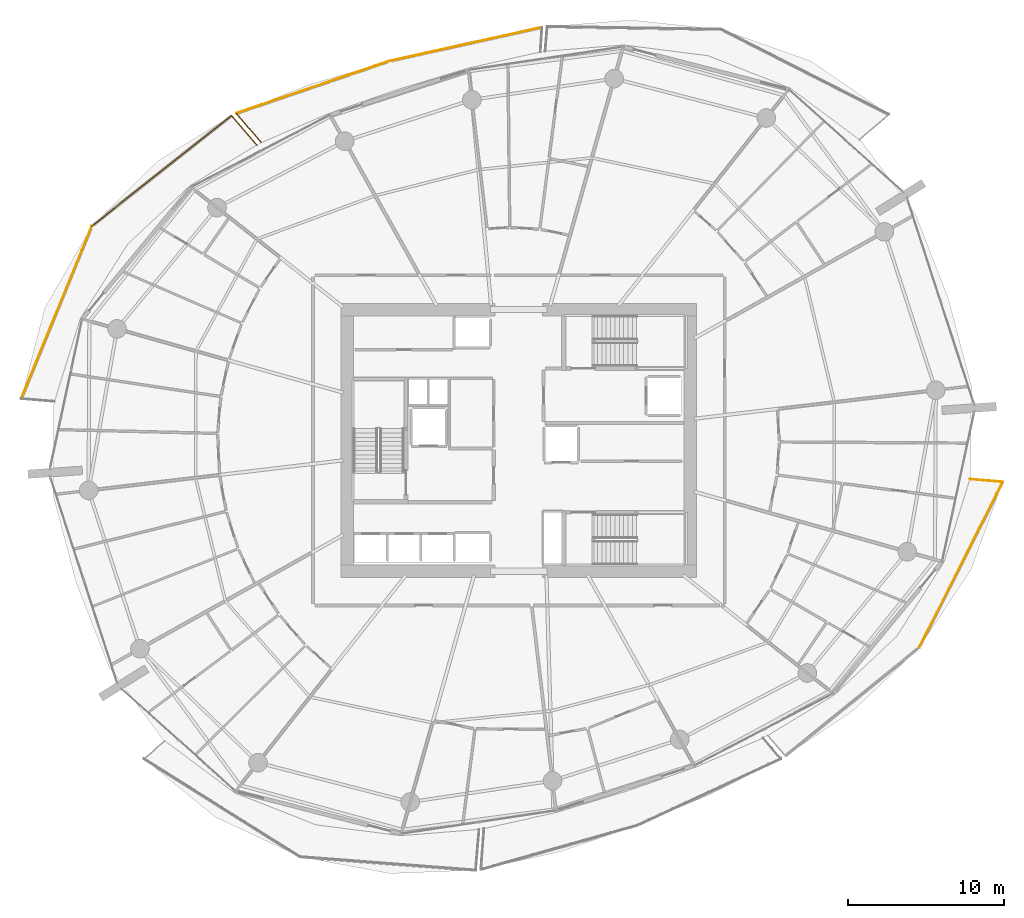
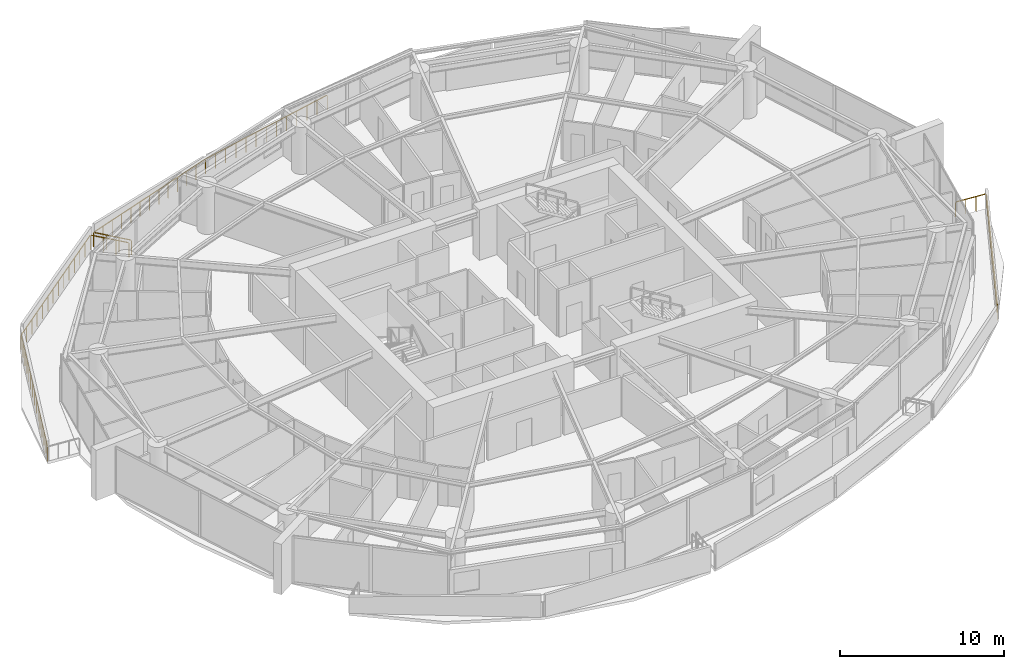
# One storey, part 21 of 23: 8 railings.
"""IFC4 building model written with IfcOpenShell, lengths in metres."""

from ifc_helpers import new_model, si_unit, direction, frame, origin, origin_2d, place, context, subcontext, project, spatial, rectangle, extrude, material, type_object, element, save


model = new_model("IFC4")

# Units and contexts
model_context = context("Model", 3, precision=1e-05, world=origin(), true_north=direction((0.0, 1.0)))
body_context = subcontext(model_context, "Body", "Model", "MODEL_VIEW")
ifc_project = project(units=[si_unit("LENGTHUNIT", "METRE"), si_unit("AREAUNIT", "SQUARE_METRE"), si_unit("VOLUMEUNIT", "CUBIC_METRE"), si_unit("PLANEANGLEUNIT", "RADIAN"), si_unit("MASSUNIT", "GRAM", prefix="KILO")], contexts=[model_context])

# Site, building, storey
site_placement = place(None, origin())
site = spatial("IfcSite", under=ifc_project, at=site_placement, CompositionType="ELEMENT")
building_placement = place(site_placement, origin())
building = spatial("IfcBuilding", under=site, at=building_placement, Name="Kazma Halo Residences", CompositionType="ELEMENT")
storey_placement = place(building_placement, frame((0.0, 0.0, 78.89990234375)))
storey = spatial("IfcBuildingStorey", under=building, at=storey_placement, Name="L19", CompositionType="ELEMENT", Elevation=78.89990234375)

# Railings
ifc_material = material(Name="Aluminium AW-6063 T6 Brushed Cap Rail", Category="aluminium")
railing_type = type_object("IfcRailingType", Name="RLG-BAL-CAP-1120", PredefinedType="BALUSTRADE", material=ifc_material)
railing_1_placement = place(storey_placement, frame((49.9248046875, 68.52685546875, 0.0)))
element("IfcRailing", 1, at=railing_1_placement, inside=storey, type_object=railing_type, Name="L19 NNW wave balcony guard 2", PredefinedType="BALUSTRADE", context=body_context, shape_type="SweptSolid", body=[
    extrude(rectangle(XDim=0.050048828125, YDim=0.050048828125, at=origin_2d()), frame((-0.04150390625, -0.00927734375, 1.09521484375), z_axis=(-0.976379400061, -0.216063109154, 0.0), x_axis=(0.216063109154, -0.976379400061, 0.0)), (0.0, 0.0, 1.0), 9.989501953125),
    extrude(rectangle(XDim=0.0400390625, YDim=0.0400390625, at=origin_2d()), origin(), (0.0, 0.0, 1.0), 1.05810546875),
    extrude(rectangle(XDim=0.0400390625, YDim=0.0400390625, at=origin_2d()), frame((-0.81982421875, -0.181396484375, 0.0)), (0.0, 0.0, 1.0), 1.05810546875),
    extrude(rectangle(XDim=0.0400390625, YDim=0.0400390625, at=origin_2d()), frame((-1.639404296875, -0.36279296875, 0.0)), (0.0, 0.0, 1.0), 1.05810546875),
    extrude(rectangle(XDim=0.0400390625, YDim=0.0400390625, at=origin_2d()), frame((-2.459228515625, -0.544189453125, 0.0)), (0.0, 0.0, 1.0), 1.05810546875),
    extrude(rectangle(XDim=0.0400390625, YDim=0.0400390625, at=origin_2d()), frame((-3.27880859375, -0.7255859375, 0.0)), (0.0, 0.0, 1.0), 1.05810546875),
    extrude(rectangle(XDim=0.0400390625, YDim=0.0400390625, at=origin_2d()), frame((-4.0986328125, -0.906982421875, 0.0)), (0.0, 0.0, 1.0), 1.05810546875),
    extrude(rectangle(XDim=0.0400390625, YDim=0.0400390625, at=origin_2d()), frame((-4.91845703125, -1.08837890625, 0.0)), (0.0, 0.0, 1.0), 1.05810546875),
    extrude(rectangle(XDim=0.0400390625, YDim=0.0400390625, at=origin_2d()), frame((-5.738037109375, -1.269775390625, 0.0)), (0.0, 0.0, 1.0), 1.05810546875),
    extrude(rectangle(XDim=0.0400390625, YDim=0.0400390625, at=origin_2d()), frame((-6.557861328125, -1.451171875, 0.0)), (0.0, 0.0, 1.0), 1.05810546875),
    extrude(rectangle(XDim=0.0400390625, YDim=0.0400390625, at=origin_2d()), frame((-7.37744140625, -1.632568359375, 0.0)), (0.0, 0.0, 1.0), 1.05810546875),
    extrude(rectangle(XDim=0.0400390625, YDim=0.0400390625, at=origin_2d()), frame((-8.197265625, -1.81396484375, 0.0)), (0.0, 0.0, 1.0), 1.05810546875),
    extrude(rectangle(XDim=0.0400390625, YDim=0.0400390625, at=origin_2d()), frame((-9.016845703125, -1.995361328125, 0.0)), (0.0, 0.0, 1.0), 1.05810546875),
    extrude(rectangle(XDim=0.0400390625, YDim=0.0400390625, at=origin_2d()), frame((-9.836669921875, -2.1767578125, 0.0)), (0.0, 0.0, 1.0), 1.05810546875),
])
railing_2_placement = place(storey_placement, frame((40.088134765625, 66.35009765625, 0.0)))
element("IfcRailing", 2, at=railing_2_placement, inside=storey, type_object=railing_type, Name="L19 NNW wave balcony guard 3", PredefinedType="BALUSTRADE", context=body_context, shape_type="SweptSolid", body=[
    extrude(rectangle(XDim=0.050048828125, YDim=0.050048828125, at=origin_2d()), frame((-0.040283203125, -0.013671875, 1.09521484375), z_axis=(-0.946372877158, -0.32307642653, 0.0), x_axis=(0.32307642653, -0.946372877158, 0.0)), (0.0, 0.0, 1.0), 10.27587890625),
    extrude(rectangle(XDim=0.0400390625, YDim=0.0400390625, at=origin_2d()), origin(), (0.0, 0.0, 1.0), 1.05810546875),
    extrude(rectangle(XDim=0.0400390625, YDim=0.0400390625, at=origin_2d()), frame((-0.817138671875, -0.279052734375, 0.0)), (0.0, 0.0, 1.0), 1.05810546875),
    extrude(rectangle(XDim=0.0400390625, YDim=0.0400390625, at=origin_2d()), frame((-1.63427734375, -0.557861328125, 0.0)), (0.0, 0.0, 1.0), 1.05810546875),
    extrude(rectangle(XDim=0.0400390625, YDim=0.0400390625, at=origin_2d()), frame((-2.451416015625, -0.8369140625, 0.0)), (0.0, 0.0, 1.0), 1.05810546875),
    extrude(rectangle(XDim=0.0400390625, YDim=0.0400390625, at=origin_2d()), frame((-3.2685546875, -1.11572265625, 0.0)), (0.0, 0.0, 1.0), 1.05810546875),
    extrude(rectangle(XDim=0.0400390625, YDim=0.0400390625, at=origin_2d()), frame((-4.085693359375, -1.394775390625, 0.0)), (0.0, 0.0, 1.0), 1.05810546875),
    extrude(rectangle(XDim=0.0400390625, YDim=0.0400390625, at=origin_2d()), frame((-4.90283203125, -1.673828125, 0.0)), (0.0, 0.0, 1.0), 1.05810546875),
    extrude(rectangle(XDim=0.0400390625, YDim=0.0400390625, at=origin_2d()), frame((-5.7197265625, -1.95263671875, 0.0)), (0.0, 0.0, 1.0), 1.05810546875),
    extrude(rectangle(XDim=0.0400390625, YDim=0.0400390625, at=origin_2d()), frame((-6.536865234375, -2.231689453125, 0.0)), (0.0, 0.0, 1.0), 1.05810546875),
    extrude(rectangle(XDim=0.0400390625, YDim=0.0400390625, at=origin_2d()), frame((-7.35400390625, -2.510498046875, 0.0)), (0.0, 0.0, 1.0), 1.05810546875),
    extrude(rectangle(XDim=0.0400390625, YDim=0.0400390625, at=origin_2d()), frame((-8.171142578125, -2.78955078125, 0.0)), (0.0, 0.0, 1.0), 1.05810546875),
    extrude(rectangle(XDim=0.0400390625, YDim=0.0400390625, at=origin_2d()), frame((-8.98828125, -3.068359375, 0.0)), (0.0, 0.0, 1.0), 1.05810546875),
    extrude(rectangle(XDim=0.0400390625, YDim=0.0400390625, at=origin_2d()), frame((-9.805419921875, -3.347412109375, 0.0)), (0.0, 0.0, 1.0), 1.05810546875),
])
railing_3_placement = place(storey_placement, frame((30.28271484375, 63.002685546875, 0.0)))
element("IfcRailing", 3, at=railing_3_placement, inside=storey, type_object=railing_type, Name="L19 NNW wave balcony guard 4", PredefinedType="BALUSTRADE", context=body_context, shape_type="SweptSolid", body=[
    extrude(rectangle(XDim=0.050048828125, YDim=0.050048828125, at=origin_2d()), frame((0.02734375, -0.032470703125, 1.09521484375), z_axis=(0.644778769126, -0.764369242503, 0.0), x_axis=(0.764369242503, 0.644778769126, 0.0)), (0.0, 0.0, 1.0), 2.381103515625),
    extrude(rectangle(XDim=0.0400390625, YDim=0.0400390625, at=origin_2d()), origin(), (0.0, 0.0, 1.0), 1.05810546875),
    extrude(rectangle(XDim=0.0400390625, YDim=0.0400390625, at=origin_2d()), frame((0.530029296875, -0.62841796875, 0.0)), (0.0, 0.0, 1.0), 1.05810546875),
    extrude(rectangle(XDim=0.0400390625, YDim=0.0400390625, at=origin_2d()), frame((1.06005859375, -1.256591796875, 0.0)), (0.0, 0.0, 1.0), 1.05810546875),
    extrude(rectangle(XDim=0.0400390625, YDim=0.0400390625, at=origin_2d()), frame((1.590087890625, -1.885009765625, 0.0)), (0.0, 0.0, 1.0), 1.05810546875),
])
railing_4_placement = place(storey_placement, frame((31.59423828125, 60.972900390625, 0.0)))
element("IfcRailing", 4, at=railing_4_placement, inside=storey, type_object=railing_type, Name="L19 NW wave balcony guard 1", PredefinedType="BALUSTRADE", context=body_context, shape_type="SweptSolid", body=[
    extrude(rectangle(XDim=0.050048828125, YDim=0.050048828125, at=origin_2d()), frame((-0.02783203125, 0.0322265625, 1.09521484375), z_axis=(-0.654151932932, 0.756363172452, 0.0), x_axis=(-0.756363172452, -0.654151932932, 0.0)), (0.0, 0.0, 1.0), 2.399169921875),
    extrude(rectangle(XDim=0.0400390625, YDim=0.0400390625, at=origin_2d()), origin(), (0.0, 0.0, 1.0), 1.05810546875),
    extrude(rectangle(XDim=0.0400390625, YDim=0.0400390625, at=origin_2d()), frame((-0.541748046875, 0.626220703125, 0.0)), (0.0, 0.0, 1.0), 1.05810546875),
    extrude(rectangle(XDim=0.0400390625, YDim=0.0400390625, at=origin_2d()), frame((-1.083251953125, 1.252685546875, 0.0)), (0.0, 0.0, 1.0), 1.05810546875),
    extrude(rectangle(XDim=0.0400390625, YDim=0.0400390625, at=origin_2d()), frame((-1.625, 1.87890625, 0.0)), (0.0, 0.0, 1.0), 1.05810546875),
])
railing_5_placement = place(storey_placement, frame((29.96923828125, 62.851806640625, 0.0)))
element("IfcRailing", 5, at=railing_5_placement, inside=storey, type_object=railing_type, Name="L19 NW wave balcony guard 2", PredefinedType="BALUSTRADE", context=body_context, shape_type="SweptSolid", body=[
    extrude(rectangle(XDim=0.050048828125, YDim=0.050048828125, at=origin_2d()), frame((-0.033447265625, -0.0263671875, 1.09521484375), z_axis=(-0.784316306459, -0.620361129845, 0.0), x_axis=(0.620361129845, -0.784316306459, 0.0)), (0.0, 0.0, 1.0), 11.35107421875),
    extrude(rectangle(XDim=0.0400390625, YDim=0.0400390625, at=origin_2d()), origin(), (0.0, 0.0, 1.0), 1.05810546875),
    extrude(rectangle(XDim=0.0400390625, YDim=0.0400390625, at=origin_2d()), frame((-0.68994140625, -0.545654296875, 0.0)), (0.0, 0.0, 1.0), 1.05810546875),
    extrude(rectangle(XDim=0.0400390625, YDim=0.0400390625, at=origin_2d()), frame((-1.3798828125, -1.091552734375, 0.0)), (0.0, 0.0, 1.0), 1.05810546875),
    extrude(rectangle(XDim=0.0400390625, YDim=0.0400390625, at=origin_2d()), frame((-2.06982421875, -1.63720703125, 0.0)), (0.0, 0.0, 1.0), 1.05810546875),
    extrude(rectangle(XDim=0.0400390625, YDim=0.0400390625, at=origin_2d()), frame((-2.759765625, -2.182861328125, 0.0)), (0.0, 0.0, 1.0), 1.05810546875),
    extrude(rectangle(XDim=0.0400390625, YDim=0.0400390625, at=origin_2d()), frame((-3.44970703125, -2.728759765625, 0.0)), (0.0, 0.0, 1.0), 1.05810546875),
    extrude(rectangle(XDim=0.0400390625, YDim=0.0400390625, at=origin_2d()), frame((-4.1396484375, -3.2744140625, 0.0)), (0.0, 0.0, 1.0), 1.05810546875),
    extrude(rectangle(XDim=0.0400390625, YDim=0.0400390625, at=origin_2d()), frame((-4.829833984375, -3.820068359375, 0.0)), (0.0, 0.0, 1.0), 1.05810546875),
    extrude(rectangle(XDim=0.0400390625, YDim=0.0400390625, at=origin_2d()), frame((-5.519775390625, -4.36572265625, 0.0)), (0.0, 0.0, 1.0), 1.05810546875),
    extrude(rectangle(XDim=0.0400390625, YDim=0.0400390625, at=origin_2d()), frame((-6.209716796875, -4.91162109375, 0.0)), (0.0, 0.0, 1.0), 1.05810546875),
    extrude(rectangle(XDim=0.0400390625, YDim=0.0400390625, at=origin_2d()), frame((-6.899658203125, -5.457275390625, 0.0)), (0.0, 0.0, 1.0), 1.05810546875),
    extrude(rectangle(XDim=0.0400390625, YDim=0.0400390625, at=origin_2d()), frame((-7.589599609375, -6.0029296875, 0.0)), (0.0, 0.0, 1.0), 1.05810546875),
    extrude(rectangle(XDim=0.0400390625, YDim=0.0400390625, at=origin_2d()), frame((-8.279541015625, -6.548828125, 0.0)), (0.0, 0.0, 1.0), 1.05810546875),
    extrude(rectangle(XDim=0.0400390625, YDim=0.0400390625, at=origin_2d()), frame((-8.969482421875, -7.094482421875, 0.0)), (0.0, 0.0, 1.0), 1.05810546875),
])
railing_6_placement = place(storey_placement, frame((20.999755859375, 55.75732421875, 0.0)))
element("IfcRailing", 6, at=railing_6_placement, inside=storey, type_object=railing_type, Name="L19 NW wave balcony guard 3", PredefinedType="BALUSTRADE", context=body_context, shape_type="SweptSolid", body=[
    extrude(rectangle(XDim=0.050048828125, YDim=0.050048828125, at=origin_2d()), frame((-0.01611328125, -0.039306640625, 1.09521484375), z_axis=(-0.37827548342, -0.925693069351, 0.0), x_axis=(0.925693069351, -0.37827548342, 0.0)), (0.0, 0.0, 1.0), 11.886474609375),
    extrude(rectangle(XDim=0.0400390625, YDim=0.0400390625, at=origin_2d()), origin(), (0.0, 0.0, 1.0), 1.05810546875),
    extrude(rectangle(XDim=0.0400390625, YDim=0.0400390625, at=origin_2d()), frame((-0.323486328125, -0.79150390625, 0.0)), (0.0, 0.0, 1.0), 1.05810546875),
    extrude(rectangle(XDim=0.0400390625, YDim=0.0400390625, at=origin_2d()), frame((-0.64697265625, -1.583251953125, 0.0)), (0.0, 0.0, 1.0), 1.05810546875),
    extrude(rectangle(XDim=0.0400390625, YDim=0.0400390625, at=origin_2d()), frame((-0.970458984375, -2.374755859375, 0.0)), (0.0, 0.0, 1.0), 1.05810546875),
    extrude(rectangle(XDim=0.0400390625, YDim=0.0400390625, at=origin_2d()), frame((-1.2939453125, -3.166259765625, 0.0)), (0.0, 0.0, 1.0), 1.05810546875),
    extrude(rectangle(XDim=0.0400390625, YDim=0.0400390625, at=origin_2d()), frame((-1.617431640625, -3.957763671875, 0.0)), (0.0, 0.0, 1.0), 1.05810546875),
    extrude(rectangle(XDim=0.0400390625, YDim=0.0400390625, at=origin_2d()), frame((-1.94091796875, -4.74951171875, 0.0)), (0.0, 0.0, 1.0), 1.05810546875),
    extrude(rectangle(XDim=0.0400390625, YDim=0.0400390625, at=origin_2d()), frame((-2.26416015625, -5.541015625, 0.0)), (0.0, 0.0, 1.0), 1.05810546875),
    extrude(rectangle(XDim=0.0400390625, YDim=0.0400390625, at=origin_2d()), frame((-2.587646484375, -6.33251953125, 0.0)), (0.0, 0.0, 1.0), 1.05810546875),
    extrude(rectangle(XDim=0.0400390625, YDim=0.0400390625, at=origin_2d()), frame((-2.9111328125, -7.124267578125, 0.0)), (0.0, 0.0, 1.0), 1.05810546875),
    extrude(rectangle(XDim=0.0400390625, YDim=0.0400390625, at=origin_2d()), frame((-3.234619140625, -7.915771484375, 0.0)), (0.0, 0.0, 1.0), 1.05810546875),
    extrude(rectangle(XDim=0.0400390625, YDim=0.0400390625, at=origin_2d()), frame((-3.55810546875, -8.707275390625, 0.0)), (0.0, 0.0, 1.0), 1.05810546875),
    extrude(rectangle(XDim=0.0400390625, YDim=0.0400390625, at=origin_2d()), frame((-3.881591796875, -9.498779296875, 0.0)), (0.0, 0.0, 1.0), 1.05810546875),
    extrude(rectangle(XDim=0.0400390625, YDim=0.0400390625, at=origin_2d()), frame((-4.205078125, -10.29052734375, 0.0)), (0.0, 0.0, 1.0), 1.05810546875),
    extrude(rectangle(XDim=0.0400390625, YDim=0.0400390625, at=origin_2d()), frame((-4.528564453125, -11.08203125, 0.0)), (0.0, 0.0, 1.0), 1.05810546875),
])
railing_7_placement = place(storey_placement, frame((74.144287109375, 28.678955078125, 0.0)))
element("IfcRailing", 7, at=railing_7_placement, inside=storey, type_object=railing_type, Name="L19 SE wave balcony guard 3", PredefinedType="BALUSTRADE", context=body_context, shape_type="SweptSolid", body=[
    extrude(rectangle(XDim=0.050048828125, YDim=0.050048828125, at=origin_2d()), frame((0.01904296875, 0.0380859375, 1.09521484375), z_axis=(0.450012590913, 0.893022210261, 0.0), x_axis=(-0.893022210261, 0.450012590913, 0.0)), (0.0, 0.0, 1.0), 11.837890625),
    extrude(rectangle(XDim=0.0400390625, YDim=0.0400390625, at=origin_2d()), origin(), (0.0, 0.0, 1.0), 1.05810546875),
    extrude(rectangle(XDim=0.0400390625, YDim=0.0400390625, at=origin_2d()), frame((0.38330078125, 0.760498046875, 0.0)), (0.0, 0.0, 1.0), 1.05810546875),
    extrude(rectangle(XDim=0.0400390625, YDim=0.0400390625, at=origin_2d()), frame((0.7666015625, 1.52099609375, 0.0)), (0.0, 0.0, 1.0), 1.05810546875),
    extrude(rectangle(XDim=0.0400390625, YDim=0.0400390625, at=origin_2d()), frame((1.149658203125, 2.281494140625, 0.0)), (0.0, 0.0, 1.0), 1.05810546875),
    extrude(rectangle(XDim=0.0400390625, YDim=0.0400390625, at=origin_2d()), frame((1.532958984375, 3.042236328125, 0.0)), (0.0, 0.0, 1.0), 1.05810546875),
    extrude(rectangle(XDim=0.0400390625, YDim=0.0400390625, at=origin_2d()), frame((1.916259765625, 3.802734375, 0.0)), (0.0, 0.0, 1.0), 1.05810546875),
    extrude(rectangle(XDim=0.0400390625, YDim=0.0400390625, at=origin_2d()), frame((2.299560546875, 4.563232421875, 0.0)), (0.0, 0.0, 1.0), 1.05810546875),
    extrude(rectangle(XDim=0.0400390625, YDim=0.0400390625, at=origin_2d()), frame((2.6826171875, 5.32373046875, 0.0)), (0.0, 0.0, 1.0), 1.05810546875),
    extrude(rectangle(XDim=0.0400390625, YDim=0.0400390625, at=origin_2d()), frame((3.06591796875, 6.084228515625, 0.0)), (0.0, 0.0, 1.0), 1.05810546875),
    extrude(rectangle(XDim=0.0400390625, YDim=0.0400390625, at=origin_2d()), frame((3.44921875, 6.8447265625, 0.0)), (0.0, 0.0, 1.0), 1.05810546875),
    extrude(rectangle(XDim=0.0400390625, YDim=0.0400390625, at=origin_2d()), frame((3.83251953125, 7.605224609375, 0.0)), (0.0, 0.0, 1.0), 1.05810546875),
    extrude(rectangle(XDim=0.0400390625, YDim=0.0400390625, at=origin_2d()), frame((4.2158203125, 8.365966796875, 0.0)), (0.0, 0.0, 1.0), 1.05810546875),
    extrude(rectangle(XDim=0.0400390625, YDim=0.0400390625, at=origin_2d()), frame((4.598876953125, 9.12646484375, 0.0)), (0.0, 0.0, 1.0), 1.05810546875),
    extrude(rectangle(XDim=0.0400390625, YDim=0.0400390625, at=origin_2d()), frame((4.982177734375, 9.886962890625, 0.0)), (0.0, 0.0, 1.0), 1.05810546875),
    extrude(rectangle(XDim=0.0400390625, YDim=0.0400390625, at=origin_2d()), frame((5.365478515625, 10.6474609375, 0.0)), (0.0, 0.0, 1.0), 1.05810546875),
])
railing_8_placement = place(storey_placement, frame((79.509765625, 39.326416015625, 0.0)))
element("IfcRailing", 8, at=railing_8_placement, inside=storey, type_object=railing_type, Name="L19 SE wave balcony guard 4", PredefinedType="BALUSTRADE", context=body_context, shape_type="SweptSolid", body=[
    extrude(rectangle(XDim=0.050048828125, YDim=0.050048828125, at=origin_2d()), frame((-0.04248046875, 0.003662109375, 1.09521484375), z_axis=(-0.996418565271, 0.084557925611, 0.0), x_axis=(-0.084557925611, -0.996418565271, 0.0)), (0.0, 0.0, 1.0), 2.025390625),
    extrude(rectangle(XDim=0.0400390625, YDim=0.0400390625, at=origin_2d()), origin(), (0.0, 0.0, 1.0), 1.05810546875),
    extrude(rectangle(XDim=0.0400390625, YDim=0.0400390625, at=origin_2d()), frame((-0.700927734375, 0.0595703125, 0.0)), (0.0, 0.0, 1.0), 1.05810546875),
    extrude(rectangle(XDim=0.0400390625, YDim=0.0400390625, at=origin_2d()), frame((-1.402099609375, 0.118896484375, 0.0)), (0.0, 0.0, 1.0), 1.05810546875),
    extrude(rectangle(XDim=0.0400390625, YDim=0.0400390625, at=origin_2d()), frame((-2.10302734375, 0.178466796875, 0.0)), (0.0, 0.0, 1.0), 1.05810546875),
])

save(model, "model.ifc")
